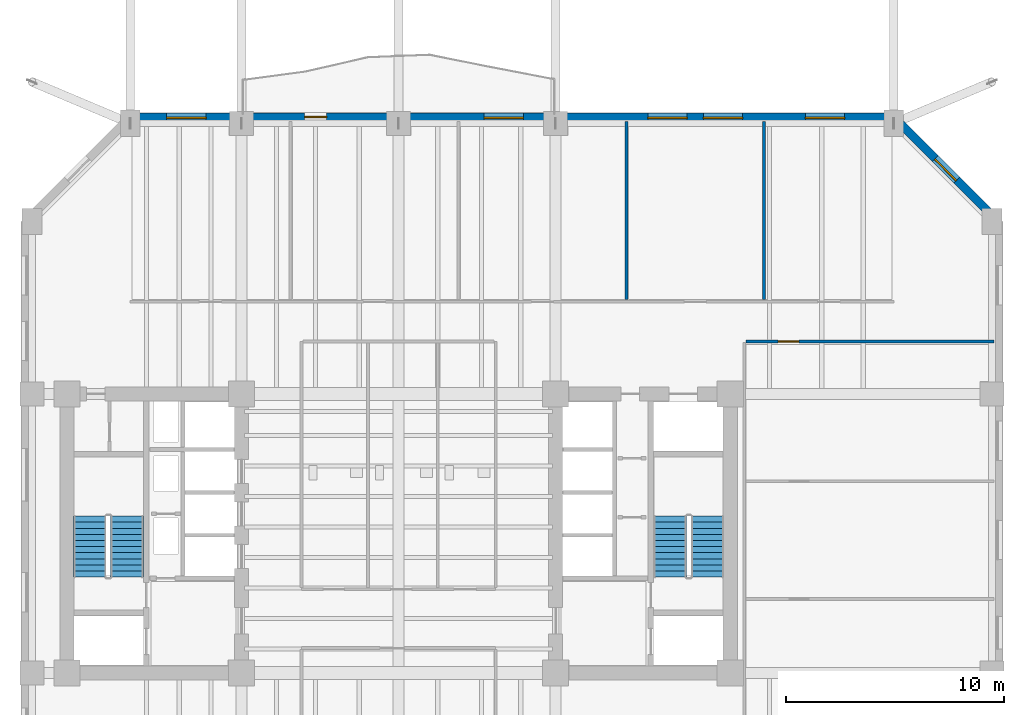
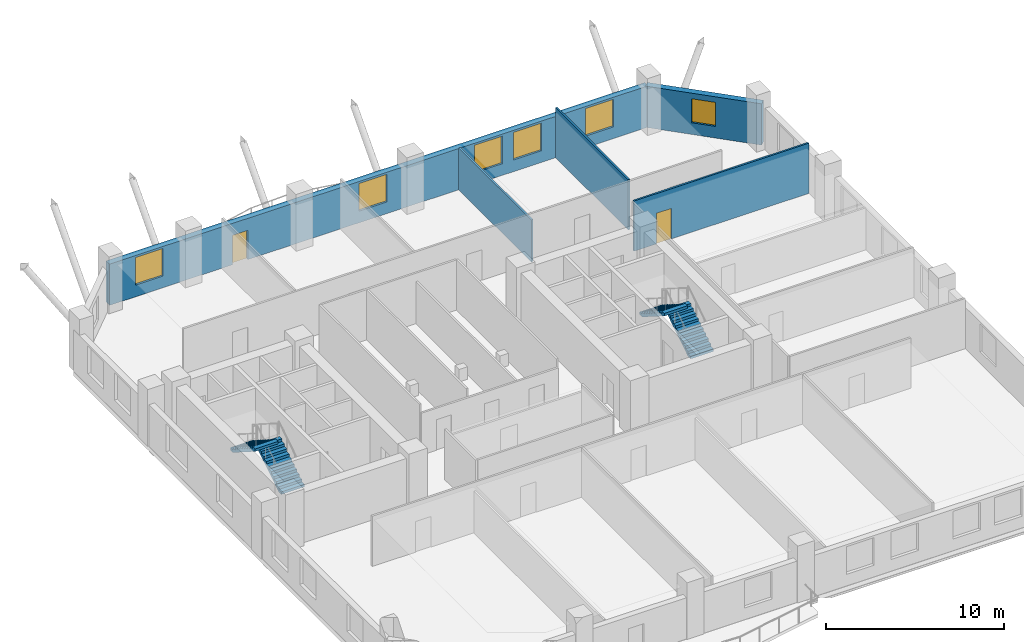
# One storey, part 8 of 12: 6 windows, 5 walls, 4 stair flights, 2 doors, 8 openings, 2 elements without a shape of their own.
"""IFC4 building model written with IfcOpenShell, lengths in metres."""

from ifc_helpers import new_model, si_unit, direction, frame, frame_2d, origin, place, context, subcontext, project, spatial, polyline, rectangle, outline, extrude, material, layer, layer_set, type_object, element, fill, aggregate, save


model = new_model("IFC4")

# Units and contexts
model_context = context("Model", 3, precision=1e-05, world=origin(), true_north=direction((0.0, 1.0)))
body_context = subcontext(model_context, "Body", "Model", "MODEL_VIEW")
ifc_project = project(units=[si_unit("LENGTHUNIT", "METRE"), si_unit("AREAUNIT", "SQUARE_METRE"), si_unit("VOLUMEUNIT", "CUBIC_METRE"), si_unit("PLANEANGLEUNIT", "RADIAN"), si_unit("MASSUNIT", "GRAM", prefix="KILO")], contexts=[model_context])

# Site, building, storey
site_placement = place(None, origin())
site = spatial("IfcSite", under=ifc_project, at=site_placement, CompositionType="ELEMENT")
building_placement = place(site_placement, origin())
building = spatial("IfcBuilding", under=site, at=building_placement, Name="Kranthara Brick Stack", CompositionType="ELEMENT")
storey_placement = place(building_placement, frame((0.0, 0.0, 67.199951171875)))
storey = spatial("IfcBuildingStorey", under=building, at=storey_placement, Name="L16", CompositionType="ELEMENT", Elevation=67.199951171875)

# Wall, openings, door, windows
ifc_material_1 = material(Name="Kiln-fired clay brick masonry M15", Category="masonry")
ifc_layer_1 = layer(ifc_material_1, 0.3798828125)
ifc_layer_set_1 = layer_set([ifc_layer_1], Name="Kiln-fired clay brick masonry M15")
wall_type_1 = type_object("IfcWallType", Name="WL-BRK-PIER-380", PredefinedType="STANDARD", material=ifc_layer_set_1)
wall_1_placement = place(storey_placement, frame((15.699951171875, 46.2900390625, 0.0), z_axis=(0.0, 0.0, 1.0), x_axis=(1.0, 0.0, 0.0)))
wall_1 = element("IfcWall", 1, at=wall_1_placement, inside=storey, type_object=wall_type_1, Name="L16 Exterior Brick Facade Wall NORTH 1", PredefinedType="STANDARD", context=body_context, shape_type="SweptSolid", body=[
    extrude(rectangle(XDim=35.0, YDim=0.3798828125, at=frame_2d((17.5, 0.0))), origin(), (0.0, 0.0, 1.0), 2.8349609375),
])
opening_1_placement = place(wall_1_placement, frame((8.0, 0.0, 0.0)))
opening_1 = element("IfcOpeningElement", 2, at=opening_1_placement, cuts=wall_1, Name="Opening D03", PredefinedType="OPENING", context=body_context, shape_type="SweptSolid", body=[
    extrude(rectangle(XDim=1.0, YDim=2.02001953125, at=frame_2d((0.5, 1.010009765625))), frame((0.0, 0.199951171875, 0.0), z_axis=(0.0, -1.0, 0.0), x_axis=(1.0, 0.0, 0.0)), (0.0, 0.0, 1.0), 0.39990234375),
])
opening_2_placement = place(wall_1_placement, frame((1.675048828125, 0.0, 0.800048828125)))
opening_2 = element("IfcOpeningElement", 3, at=opening_2_placement, cuts=wall_1, Name="Opening WN01", PredefinedType="OPENING", context=body_context, shape_type="SweptSolid", body=[
    extrude(rectangle(XDim=1.800048828125, YDim=1.89990234375, at=frame_2d((0.89990234375, 0.949951171875))), frame((0.0, 0.199951171875, 0.0), z_axis=(0.0, -1.0, 0.0), x_axis=(1.0, 0.0, 0.0)), (0.0, 0.0, 1.0), 0.39990234375),
])
opening_3_placement = place(wall_1_placement, frame((16.22509765625, 0.0, 0.800048828125)))
opening_3 = element("IfcOpeningElement", 4, at=opening_3_placement, cuts=wall_1, Name="Opening WN01", PredefinedType="OPENING", context=body_context, shape_type="SweptSolid", body=[
    extrude(rectangle(XDim=1.800048828125, YDim=1.89990234375, at=frame_2d((0.89990234375, 0.949951171875))), frame((0.0, 0.199951171875, 0.0), z_axis=(0.0, -1.0, 0.0), x_axis=(1.0, 0.0, 0.0)), (0.0, 0.0, 1.0), 0.39990234375),
])
opening_4_placement = place(wall_1_placement, frame((23.72802734375, 0.0, 0.800048828125)))
opening_4 = element("IfcOpeningElement", 5, at=opening_4_placement, cuts=wall_1, Name="Opening WN01", PredefinedType="OPENING", context=body_context, shape_type="SweptSolid", body=[
    extrude(rectangle(XDim=1.800048828125, YDim=1.89990234375, at=frame_2d((0.89990234375, 0.949951171875))), frame((0.0, 0.199951171875, 0.0), z_axis=(0.0, -1.0, 0.0), x_axis=(1.0, 0.0, 0.0)), (0.0, 0.0, 1.0), 0.39990234375),
])
opening_5_placement = place(wall_1_placement, frame((26.27197265625, 0.0, 0.800048828125)))
opening_5 = element("IfcOpeningElement", 6, at=opening_5_placement, cuts=wall_1, Name="Opening WN01", PredefinedType="OPENING", context=body_context, shape_type="SweptSolid", body=[
    extrude(rectangle(XDim=1.800048828125, YDim=1.89990234375, at=frame_2d((0.89990234375, 0.949951171875))), frame((0.0, 0.199951171875, 0.0), z_axis=(0.0, -1.0, 0.0), x_axis=(1.0, 0.0, 0.0)), (0.0, 0.0, 1.0), 0.39990234375),
])
opening_6_placement = place(wall_1_placement, frame((30.949951171875, 0.0, 0.800048828125)))
opening_6 = element("IfcOpeningElement", 7, at=opening_6_placement, cuts=wall_1, Name="Opening WN01", PredefinedType="OPENING", context=body_context, shape_type="SweptSolid", body=[
    extrude(rectangle(XDim=1.800048828125, YDim=1.89990234375, at=frame_2d((0.89990234375, 0.949951171875))), frame((0.0, 0.199951171875, 0.0), z_axis=(0.0, -1.0, 0.0), x_axis=(1.0, 0.0, 0.0)), (0.0, 0.0, 1.0), 0.39990234375),
])
ifc_material_2 = material(Name="Bronze anodised aluminium and laminated glass", Category="aluminium")
door_type_1 = type_object("IfcDoorType", Name="DR-BALC-1000", OperationType="NOTDEFINED", PredefinedType="DOOR", material=ifc_material_2)
door_1_placement = place(opening_1_placement, origin())
door_1 = element("IfcDoor", 8, at=door_1_placement, inside=storey, type_object=door_type_1, Name="L16 North Balcony Terrace Door", OperationType="SINGLE_SWING_RIGHT", OverallHeight=2.02001953125, OverallWidth=1.0, PredefinedType="DOOR", context=body_context, shape_type="SweptSolid", body=[
    extrude(rectangle(XDim=1.0, YDim=2.02001953125, at=frame_2d((0.5, 1.010009765625))), frame((0.0, 0.02490234375, 0.0), z_axis=(0.0, -1.0, 0.0), x_axis=(1.0, 0.0, 0.0)), (0.0, 0.0, 1.0), 0.050048828125),
])
fill(opening_1, door_1)
ifc_material_3 = material(Name="Double-glazed low-E solar control glass", Category="glass")
window_type_1 = type_object("IfcWindowType", Name="WN-OFF-1800x2000", PartitioningType="SINGLE_PANEL", PredefinedType="WINDOW", material=ifc_material_3)
window_1_placement = place(opening_2_placement, origin())
window_1 = element("IfcWindow", 9, at=window_1_placement, inside=storey, type_object=window_type_1, Name="L16 North Deep-Set Brick Window 01", OverallHeight=1.89990234375, OverallWidth=1.800048828125, PartitioningType="SINGLE_PANEL", PredefinedType="WINDOW", context=body_context, shape_type="SweptSolid", body=[
    extrude(rectangle(XDim=1.800048828125, YDim=1.89990234375, at=frame_2d((0.89990234375, 0.949951171875))), frame((0.0, -0.010009765625, 0.0), z_axis=(0.0, -1.0, 0.0), x_axis=(1.0, 0.0, 0.0)), (0.0, 0.0, 1.0), 0.06005859375),
])
fill(opening_2, window_1)
window_2_placement = place(opening_3_placement, origin())
window_2 = element("IfcWindow", 10, at=window_2_placement, inside=storey, type_object=window_type_1, Name="L16 North Deep-Set Brick Window 02", OverallHeight=1.89990234375, OverallWidth=1.800048828125, PartitioningType="SINGLE_PANEL", PredefinedType="WINDOW", context=body_context, shape_type="SweptSolid", body=[
    extrude(rectangle(XDim=1.800048828125, YDim=1.89990234375, at=frame_2d((0.89990234375, 0.949951171875))), frame((0.0, -0.010009765625, 0.0), z_axis=(0.0, -1.0, 0.0), x_axis=(1.0, 0.0, 0.0)), (0.0, 0.0, 1.0), 0.06005859375),
])
fill(opening_3, window_2)
window_3_placement = place(opening_4_placement, origin())
window_3 = element("IfcWindow", 11, at=window_3_placement, inside=storey, type_object=window_type_1, Name="L16 North Deep-Set Brick Window 03", OverallHeight=1.89990234375, OverallWidth=1.800048828125, PartitioningType="SINGLE_PANEL", PredefinedType="WINDOW", context=body_context, shape_type="SweptSolid", body=[
    extrude(rectangle(XDim=1.800048828125, YDim=1.89990234375, at=frame_2d((0.89990234375, 0.949951171875))), frame((0.0, -0.010009765625, 0.0), z_axis=(0.0, -1.0, 0.0), x_axis=(1.0, 0.0, 0.0)), (0.0, 0.0, 1.0), 0.06005859375),
])
fill(opening_4, window_3)
window_4_placement = place(opening_5_placement, origin())
window_4 = element("IfcWindow", 12, at=window_4_placement, inside=storey, type_object=window_type_1, Name="L16 North Deep-Set Brick Window 04", OverallHeight=1.89990234375, OverallWidth=1.800048828125, PartitioningType="SINGLE_PANEL", PredefinedType="WINDOW", context=body_context, shape_type="SweptSolid", body=[
    extrude(rectangle(XDim=1.800048828125, YDim=1.89990234375, at=frame_2d((0.89990234375, 0.949951171875))), frame((0.0, -0.010009765625, 0.0), z_axis=(0.0, -1.0, 0.0), x_axis=(1.0, 0.0, 0.0)), (0.0, 0.0, 1.0), 0.06005859375),
])
fill(opening_5, window_4)
window_5_placement = place(opening_6_placement, origin())
window_5 = element("IfcWindow", 13, at=window_5_placement, inside=storey, type_object=window_type_1, Name="L16 North Deep-Set Brick Window 05", OverallHeight=1.89990234375, OverallWidth=1.800048828125, PartitioningType="SINGLE_PANEL", PredefinedType="WINDOW", context=body_context, shape_type="SweptSolid", body=[
    extrude(rectangle(XDim=1.800048828125, YDim=1.89990234375, at=frame_2d((0.89990234375, 0.949951171875))), frame((0.0, -0.010009765625, 0.0), z_axis=(0.0, -1.0, 0.0), x_axis=(1.0, 0.0, 0.0)), (0.0, 0.0, 1.0), 0.06005859375),
])
fill(opening_6, window_5)

# Wall, opening, window
wall_2_placement = place(storey_placement, frame((50.699951171875, 46.2900390625, 0.0), z_axis=(0.0, 0.0, 1.0), x_axis=(0.707106781187, -0.707106781187, 0.0)))
wall_2 = element("IfcWall", 14, at=wall_2_placement, inside=storey, type_object=wall_type_1, Name="L16 Exterior Brick Facade Wall NE 1", PredefinedType="STANDARD", context=body_context, shape_type="SweptSolid", body=[
    extrude(rectangle(XDim=6.774169921875, YDim=0.3798828125, at=frame_2d((3.38720703125, 0.0))), origin(), (0.0, 0.0, 1.0), 2.8349609375),
])
opening_7_placement = place(wall_2_placement, frame((2.68701171875, 0.0, 0.800048828125)))
opening_7 = element("IfcOpeningElement", 15, at=opening_7_placement, cuts=wall_2, Name="Opening WN10", PredefinedType="OPENING", context=body_context, shape_type="SweptSolid", body=[
    extrude(rectangle(XDim=1.39990234375, YDim=1.64990234375, at=frame_2d((0.699951171875, 0.824951171875))), frame((0.0, 0.199951171875, 0.0), z_axis=(0.0, -1.0, 0.0), x_axis=(1.0, 0.0, 0.0)), (0.0, 0.0, 1.0), 0.39990234375),
])
ifc_material_4 = material(Name="Double-glazed low-E solar control glass", Category="glass")
window_type_2 = type_object("IfcWindowType", Name="WN-CHM-1400x1750", PartitioningType="SINGLE_PANEL", PredefinedType="WINDOW", material=ifc_material_4)
window_6_placement = place(opening_7_placement, origin())
window_6 = element("IfcWindow", 16, at=window_6_placement, inside=storey, type_object=window_type_2, Name="L16 NE Chamfer Corner Window", OverallHeight=1.64990234375, OverallWidth=1.39990234375, PartitioningType="SINGLE_PANEL", PredefinedType="WINDOW", context=body_context, shape_type="SweptSolid", body=[
    extrude(rectangle(XDim=1.39990234375, YDim=1.64990234375, at=frame_2d((0.699951171875, 0.824951171875))), frame((0.0, -0.010009765625, 0.0), z_axis=(0.0, -1.0, 0.0), x_axis=(1.0, 0.0, 0.0)), (0.0, 0.0, 1.0), 0.06005859375),
])
fill(opening_7, window_6)

# Walls
ifc_material_5 = material(Name="Acoustic gypsum plasterboard partition", Category="other")
ifc_layer_2 = layer(ifc_material_5, 0.1201171875)
ifc_layer_set_2 = layer_set([ifc_layer_2], Name="Acoustic gypsum plasterboard partition")
wall_type_2 = type_object("IfcWallType", Name="WL-PART-120", PredefinedType="PARTITIONING", material=ifc_layer_set_2)
wall_3_placement = place(storey_placement, frame((38.449951171875, 37.919921875, 0.0), z_axis=(0.0, 0.0, 1.0), x_axis=(0.0, 1.0, 0.0)))
element("IfcWall", 17, at=wall_3_placement, inside=storey, type_object=wall_type_2, Name="L16 Interior Partition 023", PredefinedType="PARTITIONING", context=body_context, shape_type="SweptSolid", body=[
    extrude(rectangle(XDim=8.175048828125, YDim=0.1201171875, at=frame_2d((4.08740234375, 0.0))), origin(), (0.0, 0.0, 1.0), 2.885009765625),
])
wall_4_placement = place(storey_placement, frame((44.75, 37.919921875, 0.0), z_axis=(0.0, 0.0, 1.0), x_axis=(0.0, 1.0, 0.0)))
element("IfcWall", 18, at=wall_4_placement, inside=storey, type_object=wall_type_2, Name="L16 Interior Partition 024", PredefinedType="PARTITIONING", context=body_context, shape_type="SweptSolid", body=[
    extrude(rectangle(XDim=8.175048828125, YDim=0.1201171875, at=frame_2d((4.08740234375, 0.0))), origin(), (0.0, 0.0, 1.0), 3.449951171875),
])

# Wall, opening, door
wall_5_placement = place(storey_placement, frame((43.9150390625, 36.0, 0.0), z_axis=(0.0, 0.0, 1.0), x_axis=(1.0, 0.0, 0.0)))
wall_5 = element("IfcWall", 19, at=wall_5_placement, inside=storey, type_object=wall_type_2, Name="L16 Interior Partition 027", PredefinedType="PARTITIONING", context=body_context, shape_type="SweptSolid", body=[
    extrude(rectangle(XDim=11.3798828125, YDim=0.1201171875, at=frame_2d((5.68994140625, 0.0))), origin(), (0.0, 0.0, 1.0), 3.449951171875),
])
opening_8_placement = place(wall_5_placement, frame((1.485107421875, 0.0, 0.0)))
opening_8 = element("IfcOpeningElement", 20, at=opening_8_placement, cuts=wall_5, Name="Opening D14", PredefinedType="OPENING", context=body_context, shape_type="SweptSolid", body=[
    extrude(rectangle(XDim=0.949951171875, YDim=2.10009765625, at=frame_2d((0.47509765625, 1.050048828125))), frame((0.0, 0.070068359375, 0.0), z_axis=(0.0, -1.0, 0.0), x_axis=(1.0, 0.0, 0.0)), (0.0, 0.0, 1.0), 0.14013671875),
])
ifc_material_6 = material(Name="Solid-core hardwood timber leaf in steel frame", Category="steel")
door_type_2 = type_object("IfcDoorType", Name="DR-INT-950", OperationType="NOTDEFINED", PredefinedType="DOOR", material=ifc_material_6)
door_2_placement = place(opening_8_placement, origin())
door_2 = element("IfcDoor", 21, at=door_2_placement, inside=storey, type_object=door_type_2, Name="L16 East North Office 22", OperationType="SINGLE_SWING_RIGHT", OverallHeight=2.10009765625, OverallWidth=0.949951171875, PredefinedType="DOOR", context=body_context, shape_type="SweptSolid", body=[
    extrude(rectangle(XDim=0.949951171875, YDim=2.10009765625, at=frame_2d((0.47509765625, 1.050048828125))), frame((0.0, 0.02490234375, 0.0), z_axis=(0.0, -1.0, 0.0), x_axis=(1.0, 0.0, 0.0)), (0.0, 0.0, 1.0), 0.050048828125),
])
fill(opening_8, door_2)

# Stair, stair flights
ifc_material_7 = material(Name="Concrete C45/55", Category="concrete")
stair_type = type_object("IfcStairType", Name="ST-CORE-22R", PredefinedType="HALF_TURN_STAIR", material=ifc_material_7)
stair_1_placement = place(storey_placement, origin())
stair_1 = element("IfcStair", 22, at=stair_1_placement, inside=storey, type_object=stair_type, Name="L16 West Core Protected Exit Stair ST01", PredefinedType="HALF_TURN_STAIR")
ifc_material_8 = material(Name="Concrete C45/55", Category="concrete")
stair_flight_type = type_object("IfcStairFlightType", Name="SFL-RC-22R", PredefinedType="STRAIGHT", material=ifc_material_8)
stair_flight_1_placement = place(storey_placement, frame((15.550048828125, 25.199951171875, 0.0), z_axis=(0.0, 0.0, 1.0), x_axis=(0.0, 1.0, 0.0)))
stair_flight_1 = element("IfcStairFlight", 23, at=stair_flight_1_placement, type_object=stair_flight_type, Name="ST01 flight 1", NumberOfRisers=11, NumberOfTreads=10, PredefinedType="STRAIGHT", RiserHeight=0.177272727, TreadLength=0.28, context=body_context, shape_type="SweptSolid", body=[
    extrude(outline(polyline([(0.0, 0.0), (0.0, 0.17724609375), (0.280029296875, 0.17724609375), (0.280029296875, 0.3544921875), (0.56005859375, 0.3544921875), (0.56005859375, 0.53173828125), (0.840087890625, 0.53173828125), (0.840087890625, 0.708984375), (1.1201171875, 0.708984375), (1.1201171875, 0.886474609375), (1.39990234375, 0.886474609375), (1.39990234375, 1.063720703125), (1.679931640625, 1.063720703125), (1.679931640625, 1.240966796875), (1.9599609375, 1.240966796875), (1.9599609375, 1.418212890625), (2.239990234375, 1.418212890625), (2.239990234375, 1.595458984375), (2.52001953125, 1.595458984375), (2.52001953125, 1.772705078125), (2.800048828125, 1.772705078125), (2.800048828125, 1.949951171875), (2.800048828125, 1.59521484375), (0.2802734375, 0.0), (0.0, 0.0)])), frame((0.0, 0.75, 0.0), z_axis=(0.0, -1.0, 0.0), x_axis=(1.0, 0.0, 0.0)), (0.0, 0.0, 1.0), 1.5),
])
stair_flight_2_placement = place(storey_placement, frame((13.85009765625, 28.0, 1.949951171875), z_axis=(0.0, 0.0, 1.0), x_axis=(0.0, -1.0, 0.0)))
stair_flight_2 = element("IfcStairFlight", 24, at=stair_flight_2_placement, type_object=stair_flight_type, Name="ST01 flight 2", NumberOfRisers=11, NumberOfTreads=10, PredefinedType="STRAIGHT", RiserHeight=0.177272727, TreadLength=0.28, context=body_context, shape_type="SweptSolid", body=[
    extrude(outline(polyline([(0.0, 0.0), (0.0, 0.17724609375), (0.280029296875, 0.17724609375), (0.280029296875, 0.3544921875), (0.56005859375, 0.3544921875), (0.56005859375, 0.53173828125), (0.840087890625, 0.53173828125), (0.840087890625, 0.708984375), (1.1201171875, 0.708984375), (1.1201171875, 0.886474609375), (1.39990234375, 0.886474609375), (1.39990234375, 1.063720703125), (1.679931640625, 1.063720703125), (1.679931640625, 1.240966796875), (1.9599609375, 1.240966796875), (1.9599609375, 1.418212890625), (2.239990234375, 1.418212890625), (2.239990234375, 1.595458984375), (2.52001953125, 1.595458984375), (2.52001953125, 1.772705078125), (2.800048828125, 1.772705078125), (2.800048828125, 1.949951171875), (2.800048828125, 1.59521484375), (0.2802734375, 0.0), (0.0, 0.0)])), frame((0.0, 0.75, 0.0), z_axis=(0.0, -1.0, 0.0), x_axis=(1.0, 0.0, 0.0)), (0.0, 0.0, 1.0), 1.5),
])
aggregate(stair_1, [stair_flight_1, stair_flight_2])

stair_2_placement = place(storey_placement, origin())
stair_2 = element("IfcStair", 25, at=stair_2_placement, inside=storey, type_object=stair_type, Name="L16 East Core Protected Exit Stair ST02", PredefinedType="HALF_TURN_STAIR")
stair_flight_3_placement = place(storey_placement, frame((42.14990234375, 25.199951171875, 0.0), z_axis=(0.0, 0.0, 1.0), x_axis=(0.0, 1.0, 0.0)))
stair_flight_3 = element("IfcStairFlight", 26, at=stair_flight_3_placement, type_object=stair_flight_type, Name="ST02 flight 1", NumberOfRisers=11, NumberOfTreads=10, PredefinedType="STRAIGHT", RiserHeight=0.177272727, TreadLength=0.28, context=body_context, shape_type="SweptSolid", body=[
    extrude(outline(polyline([(0.0, 0.0), (0.0, 0.17724609375), (0.280029296875, 0.17724609375), (0.280029296875, 0.3544921875), (0.56005859375, 0.3544921875), (0.56005859375, 0.53173828125), (0.840087890625, 0.53173828125), (0.840087890625, 0.708984375), (1.1201171875, 0.708984375), (1.1201171875, 0.886474609375), (1.39990234375, 0.886474609375), (1.39990234375, 1.063720703125), (1.679931640625, 1.063720703125), (1.679931640625, 1.240966796875), (1.9599609375, 1.240966796875), (1.9599609375, 1.418212890625), (2.239990234375, 1.418212890625), (2.239990234375, 1.595458984375), (2.52001953125, 1.595458984375), (2.52001953125, 1.772705078125), (2.800048828125, 1.772705078125), (2.800048828125, 1.949951171875), (2.800048828125, 1.59521484375), (0.2802734375, 0.0), (0.0, 0.0)])), frame((0.0, 0.75, 0.0), z_axis=(0.0, -1.0, 0.0), x_axis=(1.0, 0.0, 0.0)), (0.0, 0.0, 1.0), 1.5),
])
stair_flight_4_placement = place(storey_placement, frame((40.449951171875, 28.0, 1.949951171875), z_axis=(0.0, 0.0, 1.0), x_axis=(0.0, -1.0, 0.0)))
stair_flight_4 = element("IfcStairFlight", 27, at=stair_flight_4_placement, type_object=stair_flight_type, Name="ST02 flight 2", NumberOfRisers=11, NumberOfTreads=10, PredefinedType="STRAIGHT", RiserHeight=0.177272727, TreadLength=0.28, context=body_context, shape_type="SweptSolid", body=[
    extrude(outline(polyline([(0.0, 0.0), (0.0, 0.17724609375), (0.280029296875, 0.17724609375), (0.280029296875, 0.3544921875), (0.56005859375, 0.3544921875), (0.56005859375, 0.53173828125), (0.840087890625, 0.53173828125), (0.840087890625, 0.708984375), (1.1201171875, 0.708984375), (1.1201171875, 0.886474609375), (1.39990234375, 0.886474609375), (1.39990234375, 1.063720703125), (1.679931640625, 1.063720703125), (1.679931640625, 1.240966796875), (1.9599609375, 1.240966796875), (1.9599609375, 1.418212890625), (2.239990234375, 1.418212890625), (2.239990234375, 1.595458984375), (2.52001953125, 1.595458984375), (2.52001953125, 1.772705078125), (2.800048828125, 1.772705078125), (2.800048828125, 1.949951171875), (2.800048828125, 1.59521484375), (0.2802734375, 0.0), (0.0, 0.0)])), frame((0.0, 0.75, 0.0), z_axis=(0.0, -1.0, 0.0), x_axis=(1.0, 0.0, 0.0)), (0.0, 0.0, 1.0), 1.5),
])
aggregate(stair_2, [stair_flight_3, stair_flight_4])

save(model, "model.ifc")
